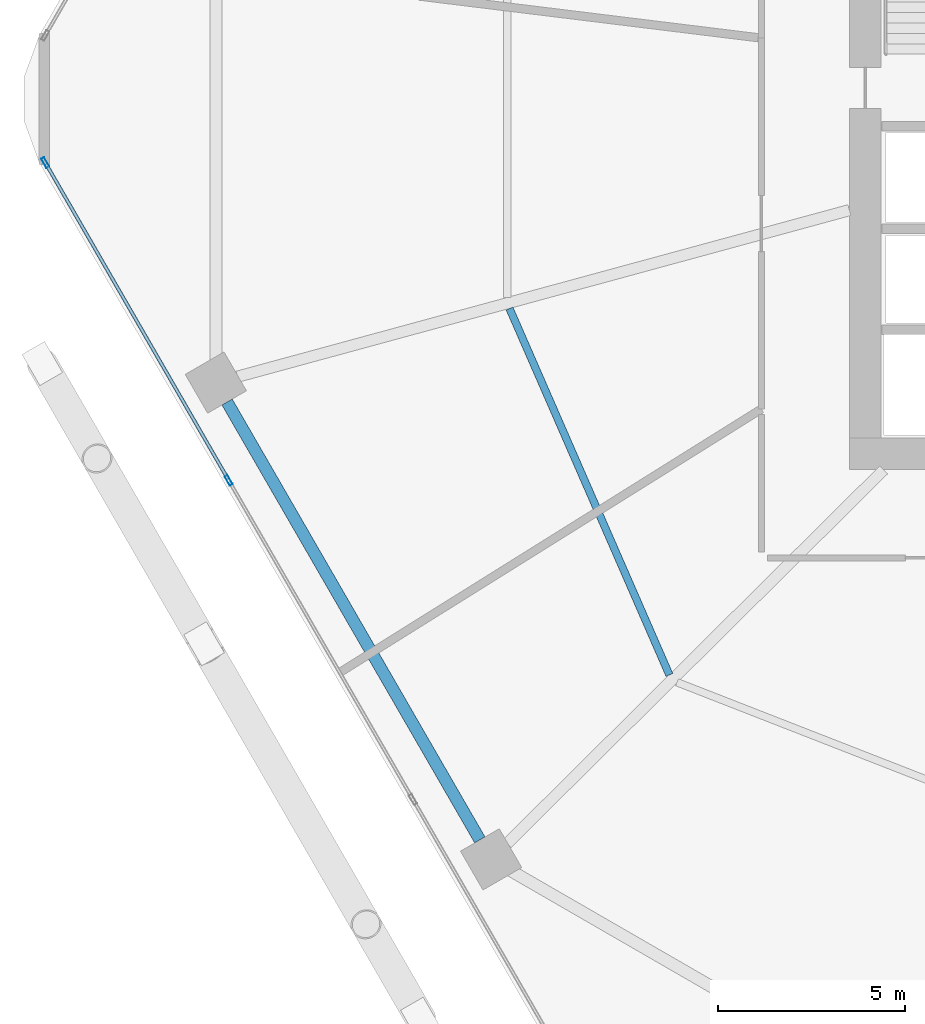
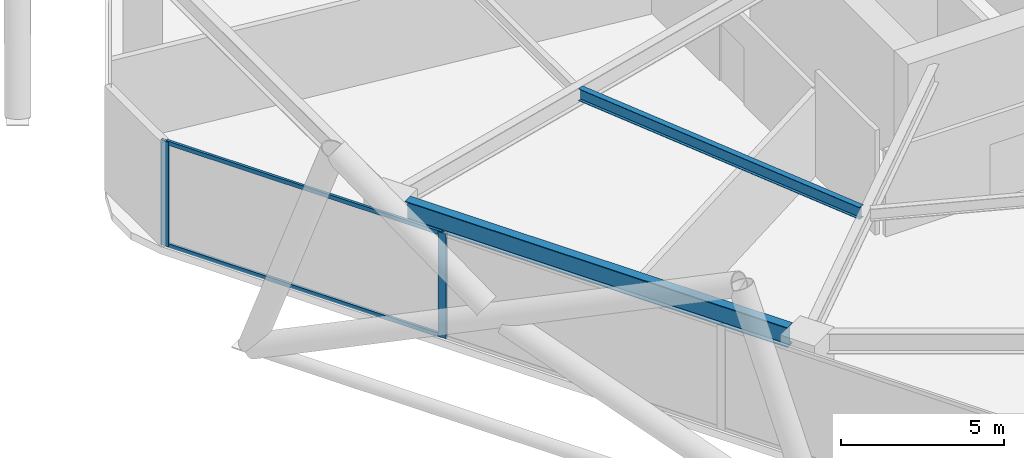
# One storey, part 5 of 28: 4 members, 2 beams, 1 element without a shape of its own.
"""IFC4 building model written with IfcOpenShell, lengths in metres."""

import ifcopenshell
import ifcopenshell.guid

model = None  # the IFC model being written
_history = None  # IfcOwnerHistory: only IFC2X3 demands one
_inside = {}  # id of a spatial element -> (the spatial element, [elements in it])
_under = {}  # id of a project, library or spatial element -> (it, [spatial elements below it])
_declared = {}  # id of a project -> (the project, [libraries it declares])
_typed = {}  # id of a type object -> (the type object, [elements of that type])
_made_of = {}  # id of a material, layer set ... -> (it, [elements and type objects made of it])


def new_model(schema):
    """Start an empty IFC model of exactly this schema.

    Asked for "IFC4X3", IfcOpenShell would pick the latest addendum, in which some entities
    have other attributes; the version numbers below select the first issue.
    IFC2X3 requires an IfcOwnerHistory on every rooted entity: one is made here for all.
    """
    global model, _history
    if schema == "IFC4X3":
        model = ifcopenshell.file(schema_version=(4, 3, 0, 0))
    else:
        model = ifcopenshell.file(schema=schema)
    _inside.clear()
    _under.clear()
    _declared.clear()
    _typed.clear()
    _made_of.clear()
    _history = None
    if model.schema == "IFC2X3":
        org = make("IfcOrganization", Name="unknown")
        user = make(
            "IfcPersonAndOrganization",
            ThePerson=make("IfcPerson", FamilyName="unknown"),
            TheOrganization=org,
        )
        app = make(
            "IfcApplication",
            ApplicationDeveloper=org,
            Version="unknown",
            ApplicationFullName="unknown",
            ApplicationIdentifier="unknown",
        )
        _history = make(
            "IfcOwnerHistory",
            OwningUser=user,
            OwningApplication=app,
            ChangeAction="ADDED",
            CreationDate=0,
        )
    return model


def make(cls, **values):
    """One entity of the class cls with the attributes given. An attribute that is None is left unset."""
    return model.create_entity(
        cls, **{name: value for name, value in values.items() if value is not None}
    )


def rooted(cls, **values):
    """An entity with a GlobalId (a new one), such as an element, a storey or a relation."""
    return make(cls, GlobalId=ifcopenshell.guid.new(), OwnerHistory=_history, **values)


def si_unit(unit_type, name, prefix=None):
    """IfcSIUnit, for example si_unit("LENGTHUNIT", "METRE", prefix="MILLI")."""
    return make("IfcSIUnit", UnitType=unit_type, Prefix=prefix, Name=name)


def assignment(units):
    """IfcUnitAssignment: the units of a project."""
    return None if units is None else make("IfcUnitAssignment", Units=units)


def point(xyz):
    """IfcCartesianPoint."""
    return None if xyz is None else make("IfcCartesianPoint", Coordinates=xyz)


def direction(xyz):
    """IfcDirection."""
    return None if xyz is None else make("IfcDirection", DirectionRatios=xyz)


def frame(location, z_axis=None, x_axis=None):
    """IfcAxis2Placement3D, a coordinate frame: its origin and axes. An axis left out is left unset."""
    return make(
        "IfcAxis2Placement3D",
        Location=point(location),
        Axis=direction(z_axis),
        RefDirection=direction(x_axis),
    )


def frame_2d(location, x_axis=None):
    """IfcAxis2Placement2D, a coordinate frame in the plane: its origin and x axis."""
    return make(
        "IfcAxis2Placement2D", Location=point(location), RefDirection=direction(x_axis)
    )


def origin():
    """The frame at (0, 0, 0) with its axes left unset."""
    return frame((0.0, 0.0, 0.0))


def origin_2d():
    """The frame at (0, 0) in the plane with its x axis left unset."""
    return frame_2d((0.0, 0.0))


def place(relative_to, where):
    """IfcLocalPlacement: puts the frame where relative to a parent placement (None: the world)."""
    return make(
        "IfcLocalPlacement", PlacementRelTo=relative_to, RelativePlacement=where
    )


def context(
    kind, dimensions, precision=None, world=None, true_north=None, identifier=None
):
    """IfcGeometricRepresentationContext, for example the 3D "Model" context."""
    return make(
        "IfcGeometricRepresentationContext",
        ContextIdentifier=identifier,
        ContextType=kind,
        CoordinateSpaceDimension=dimensions,
        Precision=precision,
        WorldCoordinateSystem=world,
        TrueNorth=true_north,
    )


def subcontext(parent, identifier, kind, view, scale=None):
    """IfcGeometricRepresentationSubContext, for example "Body" below "Model"."""
    return make(
        "IfcGeometricRepresentationSubContext",
        ContextIdentifier=identifier,
        ContextType=kind,
        ParentContext=parent,
        TargetScale=scale,
        TargetView=view,
    )


def project(units=None, contexts=None):
    """IfcProject with its units and contexts."""
    return rooted(
        "IfcProject",
        Name="project",
        RepresentationContexts=contexts,
        UnitsInContext=assignment(units),
    )


def spatial(cls, under=None, at=None, **own):
    """A site, building, storey or space (cls), placed at a placement, below another one or the project."""
    s = rooted(cls, ObjectPlacement=at, **own)
    if under is not None:
        _under.setdefault(under.id(), (under, []))[1].append(s)
    return s


def profile(cls, at=None, kind="AREA", **sizes):
    """A parametric profile (cls). Its sizes go by their IFC names, for example OverallWidth=200.0."""
    return make(cls, ProfileType=kind, Position=at, **sizes)


def hollow_rectangle(**sizes):
    """IfcRectangleHollowProfileDef."""
    return profile("IfcRectangleHollowProfileDef", **sizes)


def i_section(**sizes):
    """IfcIShapeProfileDef."""
    return profile("IfcIShapeProfileDef", **sizes)


def extrude(swept, where, along, depth):
    """IfcExtrudedAreaSolid: the profile swept, set in the frame where, extruded along a direction by depth."""
    return make(
        "IfcExtrudedAreaSolid",
        SweptArea=swept,
        Position=where,
        ExtrudedDirection=direction(along),
        Depth=depth,
    )


def shape(context_of_items, identifier, shape_type, items):
    """IfcShapeRepresentation: the items that make up one representation, for example the "Body"."""
    return make(
        "IfcShapeRepresentation",
        ContextOfItems=context_of_items,
        RepresentationIdentifier=identifier,
        RepresentationType=shape_type,
        Items=items,
    )


def material(Name=None, Category=None):
    """IfcMaterial."""
    return make("IfcMaterial", Name=Name, Category=Category)


def material_profile(
    of_material, cross_section, Name=None, Category=None, Priority=None
):
    """IfcMaterialProfile: a cross section and its material."""
    return make(
        "IfcMaterialProfile",
        Name=Name,
        Material=of_material,
        Profile=cross_section,
        Priority=Priority,
        Category=Category,
    )


def profile_set(profiles, Name=None, composite=None):
    """IfcMaterialProfileSet."""
    return make(
        "IfcMaterialProfileSet",
        Name=Name,
        MaterialProfiles=profiles,
        CompositeProfile=composite,
    )


def made_of(thing, what):
    """Note that an element or type object is made of a material, layer set ...; save() writes the relation."""
    if what is not None:
        _made_of.setdefault(what.id(), (what, []))[1].append(thing)
    return thing


def type_object(cls, material=None, **own):
    """A type object (cls), such as IfcWallType, which elements share."""
    return made_of(rooted(cls, **own), material)


def element(
    cls,
    number,
    at=None,
    inside=None,
    cuts=None,
    type_object=None,
    material=None,
    context=None,
    identifier="Body",
    shape_type=None,
    held_by="IfcProductDefinitionShape",
    body=None,
    shapes=None,
    **own,
):
    """One element of the class cls, such as IfcWall. Its Tag is "e" and its number.

    at: its placement. inside: the storey or other place that contains it. cuts: it is an
    opening in that element (IfcRelVoidsElement). A single representation is given by context,
    identifier, shape_type and body (its items); several are given by shapes. held_by: the class
    of the entity that holds the representations. save() writes the other relations.
    """
    e = rooted(cls, Tag="e%d" % number, ObjectPlacement=at, **own)
    if body is not None:
        shapes = [shape(context, identifier, shape_type, body)]
    if shapes is not None:
        e.Representation = make(held_by, Representations=shapes)
    if inside is not None:
        _inside.setdefault(inside.id(), (inside, []))[1].append(e)
    if cuts is not None:
        rooted(
            "IfcRelVoidsElement", RelatingBuildingElement=cuts, RelatedOpeningElement=e
        )
    if type_object is not None:
        _typed.setdefault(type_object.id(), (type_object, []))[1].append(e)
    return made_of(e, material)


def aggregate(whole, parts):
    """IfcRelAggregates: a whole, such as a stair, and the parts it consists of."""
    return rooted("IfcRelAggregates", RelatingObject=whole, RelatedObjects=parts)


def save(model, path):
    """Write the relations noted so far, then the file.

    IfcRelAggregates (storeys below a building ...), IfcRelContainedInSpatialStructure (elements
    in a storey), IfcRelDefinesByType, IfcRelAssociatesMaterial and IfcRelDeclares: one each for
    every whole, place, type object, material and project.
    """
    for whole, parts in _under.values():
        aggregate(whole, parts)
    for where, things in _inside.values():
        rooted(
            "IfcRelContainedInSpatialStructure",
            RelatedElements=things,
            RelatingStructure=where,
        )
    for kind, things in _typed.values():
        rooted("IfcRelDefinesByType", RelatedObjects=things, RelatingType=kind)
    for what, things in _made_of.values():
        rooted("IfcRelAssociatesMaterial", RelatedObjects=things, RelatingMaterial=what)
    for by, libraries in _declared.values():
        rooted("IfcRelDeclares", RelatingContext=by, RelatedDefinitions=libraries)
    model.write(path)


model = new_model("IFC4")

# Units and contexts
model_context = context("Model", 3, precision=1e-05, world=origin(), true_north=direction((0.0, 1.0)))
body_context = subcontext(model_context, "Body", "Model", "MODEL_VIEW")
ifc_project = project(units=[si_unit("LENGTHUNIT", "METRE"), si_unit("AREAUNIT", "SQUARE_METRE"), si_unit("VOLUMEUNIT", "CUBIC_METRE"), si_unit("PLANEANGLEUNIT", "RADIAN"), si_unit("MASSUNIT", "GRAM", prefix="KILO")], contexts=[model_context])

# Site, building, storey
site_placement = place(None, origin())
site = spatial("IfcSite", under=ifc_project, at=site_placement, CompositionType="ELEMENT")
building_placement = place(site_placement, origin())
building = spatial("IfcBuilding", under=site, at=building_placement, Name="Zuhravey Tower", CompositionType="ELEMENT")
storey_placement = place(building_placement, frame((0.0, 0.0, 24.60009765625)))
storey = spatial("IfcBuildingStorey", under=building, at=storey_placement, Name="L06", CompositionType="ELEMENT", Elevation=24.60009765625)

# Curtain wall, members
ifc_material_1 = material(Name="Thermally broken anodised aluminium", Category="aluminium")
curtain_wall_type = type_object("IfcCurtainWallType", Name="School Low-E Unitised Curtain Wall CW1", PredefinedType="NOTDEFINED", material=ifc_material_1)
curtain_wall_placement = place(storey_placement, origin())
curtain_wall = element("IfcCurtainWall", 1, at=curtain_wall_placement, inside=storey, type_object=curtain_wall_type, Name="L06 CW1 CW-L06-F4-1", PredefinedType="NOTDEFINED")
ifc_material_2 = material(Name="Anodised aluminium", Category="aluminium")
ifc_material_profile_1 = material_profile(ifc_material_2, hollow_rectangle(XDim=0.090087890625, YDim=0.284912109375, WallThickness=0.0048828125, at=origin_2d()), Name="ALU-RHS-90x285x5")
ifc_profile_set_1 = profile_set([ifc_material_profile_1], Name="Anodised aluminium")
member_type_1 = type_object("IfcMemberType", Name="Curtain-Wall Mullion 90x180", PredefinedType="MULLION", material=ifc_profile_set_1)
member_1_placement = place(storey_placement, frame((8.45458984375, 21.79296875, 0.0), z_axis=(0.0, 0.0, 1.0), x_axis=(-0.86602552265, -0.499999794119, 0.0)))
member_1 = element("IfcMember", 2, at=member_1_placement, type_object=member_type_1, Name="CW1 mullion 3", PredefinedType="MULLION", context=body_context, shape_type="SweptSolid", body=[
    extrude(hollow_rectangle(XDim=0.090087890625, YDim=0.284912109375, WallThickness=0.0048828125, at=origin_2d()), origin(), (0.0, 0.0, 1.0), 3.919921875),
])
member_2_placement = place(storey_placement, frame((3.5439453125, 30.298583984375, 0.0), z_axis=(0.0, 0.0, 1.0), x_axis=(-0.86602552265, -0.499999794119, 0.0)))
member_2 = element("IfcMember", 3, at=member_2_placement, type_object=member_type_1, Name="CW1 mullion 4", PredefinedType="MULLION", context=body_context, shape_type="SweptSolid", body=[
    extrude(hollow_rectangle(XDim=0.090087890625, YDim=0.284912109375, WallThickness=0.0048828125, at=origin_2d()), origin(), (0.0, 0.0, 1.0), 3.919921875),
])
ifc_material_profile_2 = material_profile(ifc_material_2, hollow_rectangle(XDim=0.090087890625, YDim=0.14990234375, WallThickness=0.0048828125, at=origin_2d()), Name="ALU-RHS-90x150x5")
ifc_profile_set_2 = profile_set([ifc_material_profile_2], Name="Anodised aluminium")
member_type_2 = type_object("IfcMemberType", Name="Curtain-Wall Transom 90x150", PredefinedType="USERDEFINED", material=ifc_profile_set_2)
member_3_placement = place(storey_placement, frame((8.43212890625, 21.83203125, 0.044921875), z_axis=(-0.500008393077, 0.866020557985, 0.0), x_axis=(-0.866020557985, -0.500008393077, 0.0)))
member_3 = element("IfcMember", 4, at=member_3_placement, type_object=member_type_2, Name="CW1 transom 3.1", ObjectType="TRANSOM", PredefinedType="USERDEFINED", context=body_context, shape_type="SweptSolid", body=[
    extrude(hollow_rectangle(XDim=0.090087890625, YDim=0.14990234375, WallThickness=0.0048828125, at=origin_2d()), origin(), (0.0, 0.0, 1.0), 9.731201171875),
])
member_4_placement = place(storey_placement, frame((8.43212890625, 21.83203125, 3.875), z_axis=(-0.500008393077, 0.866020557985, 0.0), x_axis=(-0.866020557985, -0.500008393077, 0.0)))
member_4 = element("IfcMember", 5, at=member_4_placement, type_object=member_type_2, Name="CW1 transom 3.2", ObjectType="TRANSOM", PredefinedType="USERDEFINED", context=body_context, shape_type="SweptSolid", body=[
    extrude(hollow_rectangle(XDim=0.090087890625, YDim=0.14990234375, WallThickness=0.0048828125, at=origin_2d()), origin(), (0.0, 0.0, 1.0), 9.731201171875),
])
aggregate(curtain_wall, [member_1, member_2, member_3, member_4])

# Beams
ifc_material_3 = material(Name="Steel SM355", Category="steel")
ifc_material_profile_3 = material_profile(ifc_material_3, i_section(OverallWidth=0.320068359375, OverallDepth=0.75, WebThickness=0.013916015625, FlangeThickness=0.02490234375, at=origin_2d()), Name="H-750x320x14x25")
ifc_profile_set_3 = profile_set([ifc_material_profile_3], Name="Steel SM355")
beam_type_1 = type_object("IfcBeamType", Name="Perimeter Ring Beam H750x320", PredefinedType="BEAM", material=ifc_profile_set_3)
beam_1_placement = place(storey_placement, frame((8.412353515625, 23.88623046875, 3.544921875), z_axis=(0.499999877243, -0.866025474658, 0.0), x_axis=(0.866025474658, 0.499999877243, 0.0)))
element("IfcBeam", 6, at=beam_1_placement, inside=storey, type_object=beam_type_1, Name="L06 PB1 BM-L06-PB-07", PredefinedType="BEAM", context=body_context, shape_type="SweptSolid", body=[
    extrude(i_section(OverallWidth=0.320068359375, OverallDepth=0.75, WebThickness=0.013916015625, FlangeThickness=0.02490234375, at=origin_2d()), origin(), (0.0, 0.0, 1.0), 13.5341796875),
])
ifc_material_profile_4 = material_profile(ifc_material_3, i_section(OverallWidth=0.199951171875, OverallDepth=0.449951171875, WebThickness=0.009033203125, FlangeThickness=0.013916015625, at=origin_2d()), Name="H-450x200x9x14")
ifc_profile_set_4 = profile_set([ifc_material_profile_4], Name="Steel SM355")
beam_type_2 = type_object("IfcBeamType", Name="Secondary Floor Joist H450x200", PredefinedType="JOIST", material=ifc_profile_set_4)
beam_2_placement = place(storey_placement, frame((15.974609375, 26.39111328125, 3.69482421875), z_axis=(0.399923551578, -0.916548500022, 0.0), x_axis=(0.916548500022, 0.399923551578, 0.0)))
element("IfcBeam", 7, at=beam_2_placement, inside=storey, type_object=beam_type_2, Name="L06 SJ1 BM-L06-SJ-07-1", PredefinedType="JOIST", context=body_context, shape_type="SweptSolid", body=[
    extrude(i_section(OverallWidth=0.199951171875, OverallDepth=0.449951171875, WebThickness=0.009033203125, FlangeThickness=0.013916015625, at=origin_2d()), origin(), (0.0, 0.0, 1.0), 10.70263671875),
])

save(model, "model.ifc")
